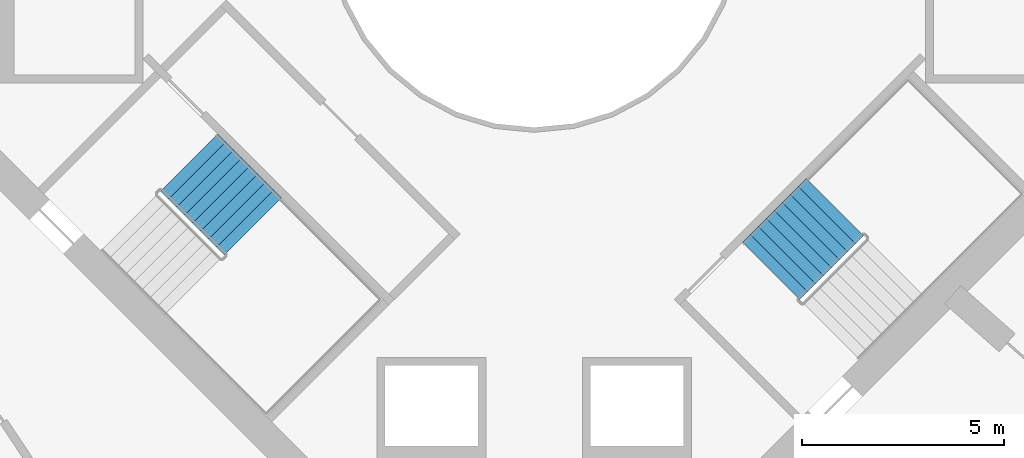
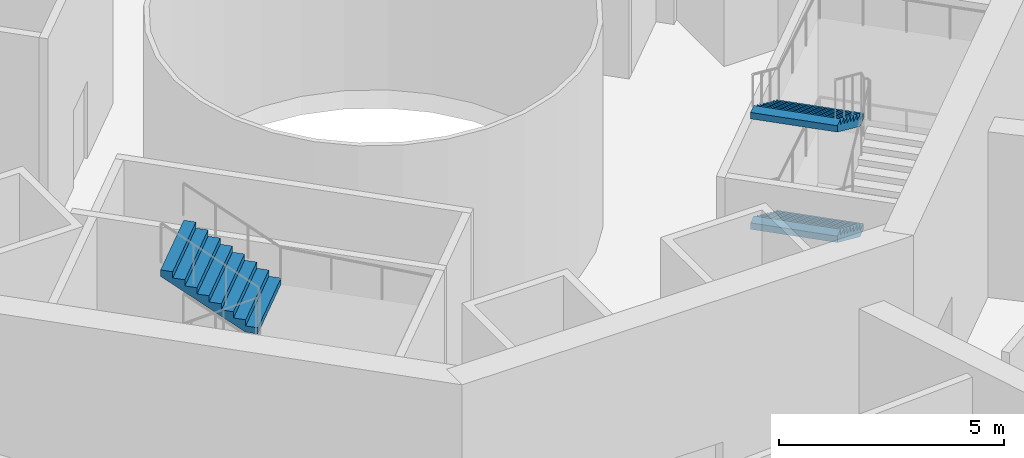
# One storey, part 12 of 16: 3 stair flights, 2 elements without a shape of their own.
"""IFC4 building model written with IfcOpenShell, lengths in metres."""

from ifc_helpers import new_model, si_unit, direction, frame, origin, place, context, subcontext, project, spatial, triangles, material, type_object, element, aggregate, save


model = new_model("IFC4")

# Units and contexts
model_context = context("Model", 3, precision=1e-05, world=origin(), true_north=direction((0.0, 1.0)))
body_context = subcontext(model_context, "Body", "Model", "MODEL_VIEW")
ifc_project = project(units=[si_unit("LENGTHUNIT", "METRE"), si_unit("AREAUNIT", "SQUARE_METRE"), si_unit("VOLUMEUNIT", "CUBIC_METRE"), si_unit("PLANEANGLEUNIT", "RADIAN"), si_unit("MASSUNIT", "GRAM", prefix="KILO")], contexts=[model_context])

# Site, building, storey
site_placement = place(None, origin())
site = spatial("IfcSite", under=ifc_project, at=site_placement, CompositionType="ELEMENT")
building_placement = place(site_placement, origin())
building = spatial("IfcBuilding", under=site, at=building_placement, Name="Verdalira Terraces Hotel", CompositionType="ELEMENT")
storey_placement = place(building_placement, frame((0.0, 0.0, 169.0)))
storey = spatial("IfcBuildingStorey", under=building, at=storey_placement, Name="L41", CompositionType="ELEMENT", Elevation=169.0)

# Stair, stair flight
ifc_material_1 = material(Name="Concrete C40", Category="concrete")
stair_type = type_object("IfcStairType", Name="Core stair 36 risers 2000 mm wide", PredefinedType="HALF_TURN_STAIR", material=ifc_material_1)
stair_1_placement = place(storey_placement, origin())
stair_1 = element("IfcStair", 1, at=stair_1_placement, inside=storey, type_object=stair_type, Name="L41 Exit stair ST2", PredefinedType="HALF_TURN_STAIR")
ifc_material_2 = material(Name="Concrete C40", Category="concrete")
stair_flight_type = type_object("IfcStairFlightType", Name="Core stair flight 36 risers 2000 mm wide", PredefinedType="STRAIGHT", material=ifc_material_2)
stair_flight_1_placement = place(storey_placement, frame((-6.972168, -7.452881, 4.5), z_axis=(0.0, 0.0, 1.0), x_axis=(-0.707106781, 0.707106781, 0.0)))
stair_flight_1 = element("IfcStairFlight", 2, at=stair_flight_1_placement, type_object=stair_flight_type, Name="ST2 flight 4", NumberOfRisers=9, NumberOfTreads=8, PredefinedType="STRAIGHT", RiserHeight=0.166666667, TreadLength=0.28, context=body_context, shape_type="Tessellation", body=[
    triangles([(0.0, 1.0, 0.0), (0.292969, 1.0, 0.0), (2.23999, 1.0, 1.158936), (0.0, -1.0, 0.0), (0.292969, -1.0, 0.0), (2.23999, -1.0, 1.158936), (2.23999, 1.0, 1.333252), (1.959961, 1.0, 1.333252), (2.23999, -1.0, 1.333252), (1.959961, -1.0, 1.333252), (1.959961, 1.0, 1.166748), (1.959961, -1.0, 1.166748), (1.679932, 1.0, 1.166748), (1.679932, -1.0, 1.166748), (1.679932, 1.0, 1.0), (1.679932, -1.0, 1.0), (1.399902, 1.0, 1.0), (1.399902, 1.0, 0.833252), (1.399902, -1.0, 1.0), (1.399902, -1.0, 0.833252), (1.120117, 1.0, 0.833252), (1.120117, 1.0, 0.666748), (1.120117, -1.0, 0.833252), (1.120117, -1.0, 0.666748), (0.840088, 1.0, 0.666748), (0.840088, 1.0, 0.5), (0.840088, -1.0, 0.666748), (0.840088, -1.0, 0.5), (0.560059, 1.0, 0.5), (0.560059, 1.0, 0.333252), (0.560059, -1.0, 0.5), (0.560059, -1.0, 0.333252), (0.280029, 1.0, 0.333252), (0.280029, 1.0, 0.166748), (0.280029, -1.0, 0.333252), (0.280029, -1.0, 0.166748), (0.0, 1.0, 0.166748), (0.0, -1.0, 0.166748), (0.0, -0.9375, 0.0), (0.0, -0.9375, 0.166748), (0.0, -0.875, 0.0), (0.0, -0.875, 0.166748), (0.0, -0.8125, 0.0), (0.0, -0.8125, 0.166748), (0.0, -0.75, 0.0), (0.0, -0.75, 0.166748), (0.0, -0.6875, 0.0), (0.0, -0.6875, 0.166748), (0.0, -0.625, 0.0), (0.0, -0.625, 0.166748), (0.0, -0.5625, 0.0), (0.0, -0.5625, 0.166748), (0.0, -0.5, 0.0), (0.0, -0.5, 0.166748), (0.0, -0.4375, 0.0), (0.0, -0.4375, 0.166748), (0.0, -0.375, 0.0), (0.0, -0.375, 0.166748), (0.0, -0.3125, 0.0), (0.0, -0.3125, 0.166748), (0.0, -0.25, 0.0), (0.0, -0.25, 0.166748), (0.0, -0.1875, 0.0), (0.0, -0.1875, 0.166748), (0.0, -0.125, 0.0), (0.0, -0.125, 0.166748), (0.0, -0.0625, 0.0), (0.0, -0.0625, 0.166748), (0.0, 0.0, 0.0), (0.0, 0.0, 0.166748), (0.0, 0.0625, 0.0), (0.0, 0.0625, 0.166748), (0.0, 0.125, 0.0), (0.0, 0.125, 0.166748), (0.0, 0.1875, 0.0), (0.0, 0.1875, 0.166748), (0.0, 0.25, 0.0), (0.0, 0.25, 0.166748), (0.0, 0.3125, 0.0), (0.0, 0.3125, 0.166748), (0.0, 0.375, 0.0), (0.0, 0.375, 0.166748), (0.0, 0.4375, 0.0), (0.0, 0.4375, 0.166748), (0.0, 0.5, 0.0), (0.0, 0.5, 0.166748), (0.0, 0.5625, 0.0), (0.0, 0.5625, 0.166748), (0.0, 0.625, 0.0), (0.0, 0.625, 0.166748), (0.0, 0.6875, 0.0), (0.0, 0.6875, 0.166748), (0.0, 0.75, 0.0), (0.0, 0.75, 0.166748), (0.0, 0.8125, 0.0), (0.0, 0.8125, 0.166748), (0.0, 0.875, 0.0), (0.0, 0.875, 0.166748), (0.0, 0.9375, 0.0), (0.0, 0.9375, 0.166748), (2.23999, -0.9375, 1.333252), (2.23999, -0.875, 1.333252), (2.23999, -0.8125, 1.333252), (2.23999, -0.75, 1.333252), (2.23999, -0.6875, 1.333252), (2.23999, -0.625, 1.333252), (2.23999, -0.5625, 1.333252), (2.23999, -0.5, 1.333252), (2.23999, -0.4375, 1.333252), (2.23999, -0.375, 1.333252), (2.23999, -0.3125, 1.333252), (2.23999, -0.25, 1.333252), (2.23999, -0.1875, 1.333252), (2.23999, -0.125, 1.333252), (2.23999, -0.0625, 1.333252), (2.23999, 0.0, 1.333252), (2.23999, 0.0625, 1.333252), (2.23999, 0.125, 1.333252), (2.23999, 0.1875, 1.333252), (2.23999, 0.25, 1.333252), (2.23999, 0.3125, 1.333252), (2.23999, 0.375, 1.333252), (2.23999, 0.4375, 1.333252), (2.23999, 0.5, 1.333252), (2.23999, 0.5625, 1.333252), (2.23999, 0.625, 1.333252), (2.23999, 0.6875, 1.333252), (2.23999, 0.75, 1.333252), (2.23999, 0.8125, 1.333252), (2.23999, 0.875, 1.333252), (2.23999, 0.9375, 1.333252), (2.23999, -0.9375, 1.158936), (2.23999, -0.875, 1.158936), (2.23999, -0.8125, 1.158936), (2.23999, -0.75, 1.158936), (2.23999, -0.6875, 1.158936), (2.23999, -0.625, 1.158936), (2.23999, -0.5625, 1.158936), (2.23999, -0.5, 1.158936), (2.23999, -0.4375, 1.158936), (2.23999, -0.375, 1.158936), (2.23999, -0.3125, 1.158936), (2.23999, -0.25, 1.158936), (2.23999, -0.1875, 1.158936), (2.23999, -0.125, 1.158936), (2.23999, -0.0625, 1.158936), (2.23999, 0.0, 1.158936), (2.23999, 0.0625, 1.158936), (2.23999, 0.125, 1.158936), (2.23999, 0.1875, 1.158936), (2.23999, 0.25, 1.158936), (2.23999, 0.3125, 1.158936), (2.23999, 0.375, 1.158936), (2.23999, 0.4375, 1.158936), (2.23999, 0.5, 1.158936), (2.23999, 0.5625, 1.158936), (2.23999, 0.625, 1.158936), (2.23999, 0.6875, 1.158936), (2.23999, 0.75, 1.158936), (2.23999, 0.8125, 1.158936), (2.23999, 0.875, 1.158936), (2.23999, 0.9375, 1.158936)], [[1, 3, 2], [4, 5, 6], [3, 8, 7], [6, 9, 10], [3, 11, 8], [6, 10, 12], [3, 13, 11], [6, 12, 14], [3, 15, 13], [6, 14, 16], [15, 18, 17], [16, 19, 20], [3, 18, 15], [6, 16, 20], [18, 22, 21], [20, 23, 24], [3, 22, 18], [6, 20, 24], [22, 26, 25], [24, 27, 28], [3, 26, 22], [6, 24, 28], [26, 30, 29], [28, 31, 32], [3, 30, 26], [6, 28, 32], [1, 30, 3], [4, 6, 32], [30, 34, 33], [32, 35, 36], [1, 34, 30], [4, 32, 36], [34, 1, 37], [36, 38, 4], [4, 40, 39], [4, 38, 40], [39, 42, 41], [39, 40, 42], [41, 44, 43], [41, 42, 44], [43, 46, 45], [43, 44, 46], [45, 48, 47], [45, 46, 48], [47, 50, 49], [47, 48, 50], [49, 52, 51], [49, 50, 52], [51, 54, 53], [51, 52, 54], [53, 56, 55], [53, 54, 56], [55, 58, 57], [55, 56, 58], [57, 60, 59], [57, 58, 60], [59, 62, 61], [59, 60, 62], [61, 64, 63], [61, 62, 64], [63, 66, 65], [63, 64, 66], [65, 68, 67], [65, 66, 68], [67, 70, 69], [67, 68, 70], [69, 72, 71], [69, 70, 72], [71, 74, 73], [71, 72, 74], [73, 76, 75], [73, 74, 76], [75, 78, 77], [75, 76, 78], [77, 80, 79], [77, 78, 80], [79, 82, 81], [79, 80, 82], [81, 84, 83], [81, 82, 84], [83, 86, 85], [83, 84, 86], [85, 88, 87], [85, 86, 88], [87, 90, 89], [87, 88, 90], [89, 92, 91], [89, 90, 92], [91, 94, 93], [91, 92, 94], [93, 96, 95], [93, 94, 96], [95, 98, 97], [95, 96, 98], [97, 100, 99], [97, 98, 100], [99, 37, 1], [99, 100, 37], [38, 36, 40], [40, 36, 42], [42, 36, 44], [44, 36, 46], [46, 36, 48], [48, 36, 50], [50, 36, 52], [52, 36, 54], [54, 36, 56], [56, 36, 58], [58, 36, 60], [60, 36, 62], [62, 36, 64], [64, 36, 66], [66, 36, 68], [68, 36, 70], [70, 36, 72], [72, 36, 74], [74, 36, 76], [76, 36, 78], [78, 36, 80], [80, 36, 82], [82, 36, 84], [84, 36, 86], [86, 36, 88], [88, 36, 90], [90, 36, 92], [92, 36, 94], [94, 36, 96], [96, 36, 98], [98, 36, 100], [100, 36, 37], [37, 36, 34], [36, 33, 34], [36, 35, 33], [35, 30, 33], [35, 32, 30], [32, 29, 30], [32, 31, 29], [31, 26, 29], [31, 28, 26], [28, 25, 26], [28, 27, 25], [27, 22, 25], [27, 24, 22], [24, 21, 22], [24, 23, 21], [23, 18, 21], [23, 20, 18], [20, 17, 18], [20, 19, 17], [19, 15, 17], [19, 16, 15], [16, 13, 15], [16, 14, 13], [14, 11, 13], [14, 12, 11], [12, 8, 11], [12, 10, 8], [9, 101, 10], [101, 102, 10], [102, 103, 10], [103, 104, 10], [104, 105, 10], [105, 106, 10], [106, 107, 10], [107, 108, 10], [108, 109, 10], [109, 110, 10], [110, 111, 10], [111, 112, 10], [112, 113, 10], [113, 114, 10], [114, 115, 10], [115, 116, 10], [116, 117, 10], [117, 118, 10], [118, 119, 10], [119, 120, 10], [120, 121, 10], [121, 122, 10], [122, 123, 10], [123, 124, 10], [124, 125, 10], [125, 126, 10], [126, 127, 10], [127, 128, 10], [128, 129, 10], [129, 130, 10], [130, 131, 10], [131, 7, 10], [7, 8, 10], [9, 132, 101], [9, 6, 132], [101, 133, 102], [101, 132, 133], [102, 134, 103], [102, 133, 134], [103, 135, 104], [103, 134, 135], [104, 136, 105], [104, 135, 136], [105, 137, 106], [105, 136, 137], [106, 138, 107], [106, 137, 138], [107, 139, 108], [107, 138, 139], [108, 140, 109], [108, 139, 140], [109, 141, 110], [109, 140, 141], [110, 142, 111], [110, 141, 142], [111, 143, 112], [111, 142, 143], [112, 144, 113], [112, 143, 144], [113, 145, 114], [113, 144, 145], [114, 146, 115], [114, 145, 146], [115, 147, 116], [115, 146, 147], [116, 148, 117], [116, 147, 148], [117, 149, 118], [117, 148, 149], [118, 150, 119], [118, 149, 150], [119, 151, 120], [119, 150, 151], [120, 152, 121], [120, 151, 152], [121, 153, 122], [121, 152, 153], [122, 154, 123], [122, 153, 154], [123, 155, 124], [123, 154, 155], [124, 156, 125], [124, 155, 156], [125, 157, 126], [125, 156, 157], [126, 158, 127], [126, 157, 158], [127, 159, 128], [127, 158, 159], [128, 160, 129], [128, 159, 160], [129, 161, 130], [129, 160, 161], [130, 162, 131], [130, 161, 162], [131, 3, 7], [131, 162, 3], [6, 5, 132], [132, 5, 133], [133, 5, 134], [134, 5, 135], [135, 5, 136], [136, 5, 137], [137, 5, 138], [138, 5, 139], [139, 5, 140], [140, 5, 141], [141, 5, 142], [142, 5, 143], [143, 5, 144], [144, 5, 145], [145, 5, 146], [146, 5, 147], [147, 5, 148], [148, 5, 149], [149, 5, 150], [150, 5, 151], [151, 5, 152], [152, 5, 153], [153, 5, 154], [154, 5, 155], [155, 5, 156], [156, 5, 157], [157, 5, 158], [158, 5, 159], [159, 5, 160], [160, 5, 161], [161, 5, 162], [162, 5, 3], [3, 5, 2], [4, 39, 5], [39, 41, 5], [41, 43, 5], [43, 45, 5], [45, 47, 5], [47, 49, 5], [49, 51, 5], [51, 53, 5], [53, 55, 5], [55, 57, 5], [57, 59, 5], [59, 61, 5], [61, 63, 5], [63, 65, 5], [65, 67, 5], [67, 69, 5], [69, 71, 5], [71, 73, 5], [73, 75, 5], [75, 77, 5], [77, 79, 5], [79, 81, 5], [81, 83, 5], [83, 85, 5], [85, 87, 5], [87, 89, 5], [89, 91, 5], [91, 93, 5], [93, 95, 5], [95, 97, 5], [97, 99, 5], [99, 1, 5], [1, 2, 5]], closed=True),
])
aggregate(stair_1, [stair_flight_1])

# Stair, stair flights
stair_2_placement = place(storey_placement, origin())
stair_2 = element("IfcStair", 3, at=stair_2_placement, inside=storey, type_object=stair_type, Name="L41 Exit stair ST3", PredefinedType="HALF_TURN_STAIR")
stair_flight_2_placement = place(storey_placement, frame((7.452881, -6.972168, 1.5), z_axis=(0.0, 0.0, 1.0), x_axis=(-0.707106781, -0.707106781, 0.0)))
stair_flight_2 = element("IfcStairFlight", 4, at=stair_flight_2_placement, type_object=stair_flight_type, Name="ST3 flight 2", NumberOfRisers=9, NumberOfTreads=8, PredefinedType="STRAIGHT", RiserHeight=0.166666667, TreadLength=0.28, context=body_context, shape_type="Tessellation", body=[
    triangles([(0.0, 1.0, 0.0), (0.292969, 1.0, 0.0), (2.23999, 1.0, 1.158936), (0.0, -1.0, 0.0), (0.292969, -1.0, 0.0), (2.23999, -1.0, 1.158936), (2.23999, 1.0, 1.333252), (1.959961, 1.0, 1.333252), (2.23999, -1.0, 1.333252), (1.959961, -1.0, 1.333252), (1.959961, 1.0, 1.166748), (1.959961, -1.0, 1.166748), (1.679932, 1.0, 1.166748), (1.679932, -1.0, 1.166748), (1.679932, 1.0, 1.0), (1.679932, -1.0, 1.0), (1.399902, 1.0, 1.0), (1.399902, 1.0, 0.833252), (1.399902, -1.0, 1.0), (1.399902, -1.0, 0.833252), (1.120117, 1.0, 0.833252), (1.120117, 1.0, 0.666748), (1.120117, -1.0, 0.833252), (1.120117, -1.0, 0.666748), (0.840088, 1.0, 0.666748), (0.840088, 1.0, 0.5), (0.840088, -1.0, 0.666748), (0.840088, -1.0, 0.5), (0.560059, 1.0, 0.5), (0.560059, 1.0, 0.333252), (0.560059, -1.0, 0.5), (0.560059, -1.0, 0.333252), (0.280029, 1.0, 0.333252), (0.280029, 1.0, 0.166748), (0.280029, -1.0, 0.333252), (0.280029, -1.0, 0.166748), (0.0, 1.0, 0.166748), (0.0, -1.0, 0.166748), (0.0, -0.9375, 0.0), (0.0, -0.9375, 0.166748), (0.0, -0.875, 0.0), (0.0, -0.875, 0.166748), (0.0, -0.8125, 0.0), (0.0, -0.8125, 0.166748), (0.0, -0.75, 0.0), (0.0, -0.75, 0.166748), (0.0, -0.6875, 0.0), (0.0, -0.6875, 0.166748), (0.0, -0.625, 0.0), (0.0, -0.625, 0.166748), (0.0, -0.5625, 0.0), (0.0, -0.5625, 0.166748), (0.0, -0.5, 0.0), (0.0, -0.5, 0.166748), (0.0, -0.4375, 0.0), (0.0, -0.4375, 0.166748), (0.0, -0.375, 0.0), (0.0, -0.375, 0.166748), (0.0, -0.3125, 0.0), (0.0, -0.3125, 0.166748), (0.0, -0.25, 0.0), (0.0, -0.25, 0.166748), (0.0, -0.1875, 0.0), (0.0, -0.1875, 0.166748), (0.0, -0.125, 0.0), (0.0, -0.125, 0.166748), (0.0, -0.0625, 0.0), (0.0, -0.0625, 0.166748), (0.0, 0.0, 0.0), (0.0, 0.0, 0.166748), (0.0, 0.0625, 0.0), (0.0, 0.0625, 0.166748), (0.0, 0.125, 0.0), (0.0, 0.125, 0.166748), (0.0, 0.1875, 0.0), (0.0, 0.1875, 0.166748), (0.0, 0.25, 0.0), (0.0, 0.25, 0.166748), (0.0, 0.3125, 0.0), (0.0, 0.3125, 0.166748), (0.0, 0.375, 0.0), (0.0, 0.375, 0.166748), (0.0, 0.4375, 0.0), (0.0, 0.4375, 0.166748), (0.0, 0.5, 0.0), (0.0, 0.5, 0.166748), (0.0, 0.5625, 0.0), (0.0, 0.5625, 0.166748), (0.0, 0.625, 0.0), (0.0, 0.625, 0.166748), (0.0, 0.6875, 0.0), (0.0, 0.6875, 0.166748), (0.0, 0.75, 0.0), (0.0, 0.75, 0.166748), (0.0, 0.8125, 0.0), (0.0, 0.8125, 0.166748), (0.0, 0.875, 0.0), (0.0, 0.875, 0.166748), (0.0, 0.9375, 0.0), (0.0, 0.9375, 0.166748), (2.23999, -0.9375, 1.333252), (2.23999, -0.875, 1.333252), (2.23999, -0.8125, 1.333252), (2.23999, -0.75, 1.333252), (2.23999, -0.6875, 1.333252), (2.23999, -0.625, 1.333252), (2.23999, -0.5625, 1.333252), (2.23999, -0.5, 1.333252), (2.23999, -0.4375, 1.333252), (2.23999, -0.375, 1.333252), (2.23999, -0.3125, 1.333252), (2.23999, -0.25, 1.333252), (2.23999, -0.1875, 1.333252), (2.23999, -0.125, 1.333252), (2.23999, -0.0625, 1.333252), (2.23999, 0.0, 1.333252), (2.23999, 0.0625, 1.333252), (2.23999, 0.125, 1.333252), (2.23999, 0.1875, 1.333252), (2.23999, 0.25, 1.333252), (2.23999, 0.3125, 1.333252), (2.23999, 0.375, 1.333252), (2.23999, 0.4375, 1.333252), (2.23999, 0.5, 1.333252), (2.23999, 0.5625, 1.333252), (2.23999, 0.625, 1.333252), (2.23999, 0.6875, 1.333252), (2.23999, 0.75, 1.333252), (2.23999, 0.8125, 1.333252), (2.23999, 0.875, 1.333252), (2.23999, 0.9375, 1.333252), (2.23999, -0.9375, 1.158936), (2.23999, -0.875, 1.158936), (2.23999, -0.8125, 1.158936), (2.23999, -0.75, 1.158936), (2.23999, -0.6875, 1.158936), (2.23999, -0.625, 1.158936), (2.23999, -0.5625, 1.158936), (2.23999, -0.5, 1.158936), (2.23999, -0.4375, 1.158936), (2.23999, -0.375, 1.158936), (2.23999, -0.3125, 1.158936), (2.23999, -0.25, 1.158936), (2.23999, -0.1875, 1.158936), (2.23999, -0.125, 1.158936), (2.23999, -0.0625, 1.158936), (2.23999, 0.0, 1.158936), (2.23999, 0.0625, 1.158936), (2.23999, 0.125, 1.158936), (2.23999, 0.1875, 1.158936), (2.23999, 0.25, 1.158936), (2.23999, 0.3125, 1.158936), (2.23999, 0.375, 1.158936), (2.23999, 0.4375, 1.158936), (2.23999, 0.5, 1.158936), (2.23999, 0.5625, 1.158936), (2.23999, 0.625, 1.158936), (2.23999, 0.6875, 1.158936), (2.23999, 0.75, 1.158936), (2.23999, 0.8125, 1.158936), (2.23999, 0.875, 1.158936), (2.23999, 0.9375, 1.158936)], [[1, 3, 2], [4, 5, 6], [3, 8, 7], [6, 9, 10], [3, 11, 8], [6, 10, 12], [3, 13, 11], [6, 12, 14], [3, 15, 13], [6, 14, 16], [15, 18, 17], [16, 19, 20], [3, 18, 15], [6, 16, 20], [18, 22, 21], [20, 23, 24], [3, 22, 18], [6, 20, 24], [22, 26, 25], [24, 27, 28], [3, 26, 22], [6, 24, 28], [26, 30, 29], [28, 31, 32], [3, 30, 26], [6, 28, 32], [1, 30, 3], [4, 6, 32], [30, 34, 33], [32, 35, 36], [1, 34, 30], [4, 32, 36], [34, 1, 37], [36, 38, 4], [4, 40, 39], [4, 38, 40], [39, 42, 41], [39, 40, 42], [41, 44, 43], [41, 42, 44], [43, 46, 45], [43, 44, 46], [45, 48, 47], [45, 46, 48], [47, 50, 49], [47, 48, 50], [49, 52, 51], [49, 50, 52], [51, 54, 53], [51, 52, 54], [53, 56, 55], [53, 54, 56], [55, 58, 57], [55, 56, 58], [57, 60, 59], [57, 58, 60], [59, 62, 61], [59, 60, 62], [61, 64, 63], [61, 62, 64], [63, 66, 65], [63, 64, 66], [65, 68, 67], [65, 66, 68], [67, 70, 69], [67, 68, 70], [69, 72, 71], [69, 70, 72], [71, 74, 73], [71, 72, 74], [73, 76, 75], [73, 74, 76], [75, 78, 77], [75, 76, 78], [77, 80, 79], [77, 78, 80], [79, 82, 81], [79, 80, 82], [81, 84, 83], [81, 82, 84], [83, 86, 85], [83, 84, 86], [85, 88, 87], [85, 86, 88], [87, 90, 89], [87, 88, 90], [89, 92, 91], [89, 90, 92], [91, 94, 93], [91, 92, 94], [93, 96, 95], [93, 94, 96], [95, 98, 97], [95, 96, 98], [97, 100, 99], [97, 98, 100], [99, 37, 1], [99, 100, 37], [38, 36, 40], [40, 36, 42], [42, 36, 44], [44, 36, 46], [46, 36, 48], [48, 36, 50], [50, 36, 52], [52, 36, 54], [54, 36, 56], [56, 36, 58], [58, 36, 60], [60, 36, 62], [62, 36, 64], [64, 36, 66], [66, 36, 68], [68, 36, 70], [70, 36, 72], [72, 36, 74], [74, 36, 76], [76, 36, 78], [78, 36, 80], [80, 36, 82], [82, 36, 84], [84, 36, 86], [86, 36, 88], [88, 36, 90], [90, 36, 92], [92, 36, 94], [94, 36, 96], [96, 36, 98], [98, 36, 100], [100, 36, 37], [37, 36, 34], [36, 33, 34], [36, 35, 33], [35, 30, 33], [35, 32, 30], [32, 29, 30], [32, 31, 29], [31, 26, 29], [31, 28, 26], [28, 25, 26], [28, 27, 25], [27, 22, 25], [27, 24, 22], [24, 21, 22], [24, 23, 21], [23, 18, 21], [23, 20, 18], [20, 17, 18], [20, 19, 17], [19, 15, 17], [19, 16, 15], [16, 13, 15], [16, 14, 13], [14, 11, 13], [14, 12, 11], [12, 8, 11], [12, 10, 8], [9, 101, 10], [101, 102, 10], [102, 103, 10], [103, 104, 10], [104, 105, 10], [105, 106, 10], [106, 107, 10], [107, 108, 10], [108, 109, 10], [109, 110, 10], [110, 111, 10], [111, 112, 10], [112, 113, 10], [113, 114, 10], [114, 115, 10], [115, 116, 10], [116, 117, 10], [117, 118, 10], [118, 119, 10], [119, 120, 10], [120, 121, 10], [121, 122, 10], [122, 123, 10], [123, 124, 10], [124, 125, 10], [125, 126, 10], [126, 127, 10], [127, 128, 10], [128, 129, 10], [129, 130, 10], [130, 131, 10], [131, 7, 10], [7, 8, 10], [9, 132, 101], [9, 6, 132], [101, 133, 102], [101, 132, 133], [102, 134, 103], [102, 133, 134], [103, 135, 104], [103, 134, 135], [104, 136, 105], [104, 135, 136], [105, 137, 106], [105, 136, 137], [106, 138, 107], [106, 137, 138], [107, 139, 108], [107, 138, 139], [108, 140, 109], [108, 139, 140], [109, 141, 110], [109, 140, 141], [110, 142, 111], [110, 141, 142], [111, 143, 112], [111, 142, 143], [112, 144, 113], [112, 143, 144], [113, 145, 114], [113, 144, 145], [114, 146, 115], [114, 145, 146], [115, 147, 116], [115, 146, 147], [116, 148, 117], [116, 147, 148], [117, 149, 118], [117, 148, 149], [118, 150, 119], [118, 149, 150], [119, 151, 120], [119, 150, 151], [120, 152, 121], [120, 151, 152], [121, 153, 122], [121, 152, 153], [122, 154, 123], [122, 153, 154], [123, 155, 124], [123, 154, 155], [124, 156, 125], [124, 155, 156], [125, 157, 126], [125, 156, 157], [126, 158, 127], [126, 157, 158], [127, 159, 128], [127, 158, 159], [128, 160, 129], [128, 159, 160], [129, 161, 130], [129, 160, 161], [130, 162, 131], [130, 161, 162], [131, 3, 7], [131, 162, 3], [6, 5, 132], [132, 5, 133], [133, 5, 134], [134, 5, 135], [135, 5, 136], [136, 5, 137], [137, 5, 138], [138, 5, 139], [139, 5, 140], [140, 5, 141], [141, 5, 142], [142, 5, 143], [143, 5, 144], [144, 5, 145], [145, 5, 146], [146, 5, 147], [147, 5, 148], [148, 5, 149], [149, 5, 150], [150, 5, 151], [151, 5, 152], [152, 5, 153], [153, 5, 154], [154, 5, 155], [155, 5, 156], [156, 5, 157], [157, 5, 158], [158, 5, 159], [159, 5, 160], [160, 5, 161], [161, 5, 162], [162, 5, 3], [3, 5, 2], [4, 39, 5], [39, 41, 5], [41, 43, 5], [43, 45, 5], [45, 47, 5], [47, 49, 5], [49, 51, 5], [51, 53, 5], [53, 55, 5], [55, 57, 5], [57, 59, 5], [59, 61, 5], [61, 63, 5], [63, 65, 5], [65, 67, 5], [67, 69, 5], [69, 71, 5], [71, 73, 5], [73, 75, 5], [75, 77, 5], [77, 79, 5], [79, 81, 5], [81, 83, 5], [83, 85, 5], [85, 87, 5], [87, 89, 5], [89, 91, 5], [91, 93, 5], [93, 95, 5], [95, 97, 5], [97, 99, 5], [99, 1, 5], [1, 2, 5]], closed=True),
])
stair_flight_3_placement = place(storey_placement, frame((7.452881, -6.972168, 4.5), z_axis=(0.0, 0.0, 1.0), x_axis=(-0.707106781, -0.707106781, 0.0)))
stair_flight_3 = element("IfcStairFlight", 5, at=stair_flight_3_placement, type_object=stair_flight_type, Name="ST3 flight 4", NumberOfRisers=9, NumberOfTreads=8, PredefinedType="STRAIGHT", RiserHeight=0.166666667, TreadLength=0.28, context=body_context, shape_type="Tessellation", body=[
    triangles([(0.0, 1.0, 0.0), (0.292969, 1.0, 0.0), (2.23999, 1.0, 1.158936), (0.0, -1.0, 0.0), (0.292969, -1.0, 0.0), (2.23999, -1.0, 1.158936), (2.23999, 1.0, 1.333252), (1.959961, 1.0, 1.333252), (2.23999, -1.0, 1.333252), (1.959961, -1.0, 1.333252), (1.959961, 1.0, 1.166748), (1.959961, -1.0, 1.166748), (1.679932, 1.0, 1.166748), (1.679932, -1.0, 1.166748), (1.679932, 1.0, 1.0), (1.679932, -1.0, 1.0), (1.399902, 1.0, 1.0), (1.399902, 1.0, 0.833252), (1.399902, -1.0, 1.0), (1.399902, -1.0, 0.833252), (1.120117, 1.0, 0.833252), (1.120117, 1.0, 0.666748), (1.120117, -1.0, 0.833252), (1.120117, -1.0, 0.666748), (0.840088, 1.0, 0.666748), (0.840088, 1.0, 0.5), (0.840088, -1.0, 0.666748), (0.840088, -1.0, 0.5), (0.560059, 1.0, 0.5), (0.560059, 1.0, 0.333252), (0.560059, -1.0, 0.5), (0.560059, -1.0, 0.333252), (0.280029, 1.0, 0.333252), (0.280029, 1.0, 0.166748), (0.280029, -1.0, 0.333252), (0.280029, -1.0, 0.166748), (0.0, 1.0, 0.166748), (0.0, -1.0, 0.166748), (0.0, -0.9375, 0.0), (0.0, -0.9375, 0.166748), (0.0, -0.875, 0.0), (0.0, -0.875, 0.166748), (0.0, -0.8125, 0.0), (0.0, -0.8125, 0.166748), (0.0, -0.75, 0.0), (0.0, -0.75, 0.166748), (0.0, -0.6875, 0.0), (0.0, -0.6875, 0.166748), (0.0, -0.625, 0.0), (0.0, -0.625, 0.166748), (0.0, -0.5625, 0.0), (0.0, -0.5625, 0.166748), (0.0, -0.5, 0.0), (0.0, -0.5, 0.166748), (0.0, -0.4375, 0.0), (0.0, -0.4375, 0.166748), (0.0, -0.375, 0.0), (0.0, -0.375, 0.166748), (0.0, -0.3125, 0.0), (0.0, -0.3125, 0.166748), (0.0, -0.25, 0.0), (0.0, -0.25, 0.166748), (0.0, -0.1875, 0.0), (0.0, -0.1875, 0.166748), (0.0, -0.125, 0.0), (0.0, -0.125, 0.166748), (0.0, -0.0625, 0.0), (0.0, -0.0625, 0.166748), (0.0, 0.0, 0.0), (0.0, 0.0, 0.166748), (0.0, 0.0625, 0.0), (0.0, 0.0625, 0.166748), (0.0, 0.125, 0.0), (0.0, 0.125, 0.166748), (0.0, 0.1875, 0.0), (0.0, 0.1875, 0.166748), (0.0, 0.25, 0.0), (0.0, 0.25, 0.166748), (0.0, 0.3125, 0.0), (0.0, 0.3125, 0.166748), (0.0, 0.375, 0.0), (0.0, 0.375, 0.166748), (0.0, 0.4375, 0.0), (0.0, 0.4375, 0.166748), (0.0, 0.5, 0.0), (0.0, 0.5, 0.166748), (0.0, 0.5625, 0.0), (0.0, 0.5625, 0.166748), (0.0, 0.625, 0.0), (0.0, 0.625, 0.166748), (0.0, 0.6875, 0.0), (0.0, 0.6875, 0.166748), (0.0, 0.75, 0.0), (0.0, 0.75, 0.166748), (0.0, 0.8125, 0.0), (0.0, 0.8125, 0.166748), (0.0, 0.875, 0.0), (0.0, 0.875, 0.166748), (0.0, 0.9375, 0.0), (0.0, 0.9375, 0.166748), (2.23999, -0.9375, 1.333252), (2.23999, -0.875, 1.333252), (2.23999, -0.8125, 1.333252), (2.23999, -0.75, 1.333252), (2.23999, -0.6875, 1.333252), (2.23999, -0.625, 1.333252), (2.23999, -0.5625, 1.333252), (2.23999, -0.5, 1.333252), (2.23999, -0.4375, 1.333252), (2.23999, -0.375, 1.333252), (2.23999, -0.3125, 1.333252), (2.23999, -0.25, 1.333252), (2.23999, -0.1875, 1.333252), (2.23999, -0.125, 1.333252), (2.23999, -0.0625, 1.333252), (2.23999, 0.0, 1.333252), (2.23999, 0.0625, 1.333252), (2.23999, 0.125, 1.333252), (2.23999, 0.1875, 1.333252), (2.23999, 0.25, 1.333252), (2.23999, 0.3125, 1.333252), (2.23999, 0.375, 1.333252), (2.23999, 0.4375, 1.333252), (2.23999, 0.5, 1.333252), (2.23999, 0.5625, 1.333252), (2.23999, 0.625, 1.333252), (2.23999, 0.6875, 1.333252), (2.23999, 0.75, 1.333252), (2.23999, 0.8125, 1.333252), (2.23999, 0.875, 1.333252), (2.23999, 0.9375, 1.333252), (2.23999, -0.9375, 1.158936), (2.23999, -0.875, 1.158936), (2.23999, -0.8125, 1.158936), (2.23999, -0.75, 1.158936), (2.23999, -0.6875, 1.158936), (2.23999, -0.625, 1.158936), (2.23999, -0.5625, 1.158936), (2.23999, -0.5, 1.158936), (2.23999, -0.4375, 1.158936), (2.23999, -0.375, 1.158936), (2.23999, -0.3125, 1.158936), (2.23999, -0.25, 1.158936), (2.23999, -0.1875, 1.158936), (2.23999, -0.125, 1.158936), (2.23999, -0.0625, 1.158936), (2.23999, 0.0, 1.158936), (2.23999, 0.0625, 1.158936), (2.23999, 0.125, 1.158936), (2.23999, 0.1875, 1.158936), (2.23999, 0.25, 1.158936), (2.23999, 0.3125, 1.158936), (2.23999, 0.375, 1.158936), (2.23999, 0.4375, 1.158936), (2.23999, 0.5, 1.158936), (2.23999, 0.5625, 1.158936), (2.23999, 0.625, 1.158936), (2.23999, 0.6875, 1.158936), (2.23999, 0.75, 1.158936), (2.23999, 0.8125, 1.158936), (2.23999, 0.875, 1.158936), (2.23999, 0.9375, 1.158936)], [[1, 3, 2], [4, 5, 6], [3, 8, 7], [6, 9, 10], [3, 11, 8], [6, 10, 12], [3, 13, 11], [6, 12, 14], [3, 15, 13], [6, 14, 16], [15, 18, 17], [16, 19, 20], [3, 18, 15], [6, 16, 20], [18, 22, 21], [20, 23, 24], [3, 22, 18], [6, 20, 24], [22, 26, 25], [24, 27, 28], [3, 26, 22], [6, 24, 28], [26, 30, 29], [28, 31, 32], [3, 30, 26], [6, 28, 32], [1, 30, 3], [4, 6, 32], [30, 34, 33], [32, 35, 36], [1, 34, 30], [4, 32, 36], [34, 1, 37], [36, 38, 4], [4, 40, 39], [4, 38, 40], [39, 42, 41], [39, 40, 42], [41, 44, 43], [41, 42, 44], [43, 46, 45], [43, 44, 46], [45, 48, 47], [45, 46, 48], [47, 50, 49], [47, 48, 50], [49, 52, 51], [49, 50, 52], [51, 54, 53], [51, 52, 54], [53, 56, 55], [53, 54, 56], [55, 58, 57], [55, 56, 58], [57, 60, 59], [57, 58, 60], [59, 62, 61], [59, 60, 62], [61, 64, 63], [61, 62, 64], [63, 66, 65], [63, 64, 66], [65, 68, 67], [65, 66, 68], [67, 70, 69], [67, 68, 70], [69, 72, 71], [69, 70, 72], [71, 74, 73], [71, 72, 74], [73, 76, 75], [73, 74, 76], [75, 78, 77], [75, 76, 78], [77, 80, 79], [77, 78, 80], [79, 82, 81], [79, 80, 82], [81, 84, 83], [81, 82, 84], [83, 86, 85], [83, 84, 86], [85, 88, 87], [85, 86, 88], [87, 90, 89], [87, 88, 90], [89, 92, 91], [89, 90, 92], [91, 94, 93], [91, 92, 94], [93, 96, 95], [93, 94, 96], [95, 98, 97], [95, 96, 98], [97, 100, 99], [97, 98, 100], [99, 37, 1], [99, 100, 37], [38, 36, 40], [40, 36, 42], [42, 36, 44], [44, 36, 46], [46, 36, 48], [48, 36, 50], [50, 36, 52], [52, 36, 54], [54, 36, 56], [56, 36, 58], [58, 36, 60], [60, 36, 62], [62, 36, 64], [64, 36, 66], [66, 36, 68], [68, 36, 70], [70, 36, 72], [72, 36, 74], [74, 36, 76], [76, 36, 78], [78, 36, 80], [80, 36, 82], [82, 36, 84], [84, 36, 86], [86, 36, 88], [88, 36, 90], [90, 36, 92], [92, 36, 94], [94, 36, 96], [96, 36, 98], [98, 36, 100], [100, 36, 37], [37, 36, 34], [36, 33, 34], [36, 35, 33], [35, 30, 33], [35, 32, 30], [32, 29, 30], [32, 31, 29], [31, 26, 29], [31, 28, 26], [28, 25, 26], [28, 27, 25], [27, 22, 25], [27, 24, 22], [24, 21, 22], [24, 23, 21], [23, 18, 21], [23, 20, 18], [20, 17, 18], [20, 19, 17], [19, 15, 17], [19, 16, 15], [16, 13, 15], [16, 14, 13], [14, 11, 13], [14, 12, 11], [12, 8, 11], [12, 10, 8], [9, 101, 10], [101, 102, 10], [102, 103, 10], [103, 104, 10], [104, 105, 10], [105, 106, 10], [106, 107, 10], [107, 108, 10], [108, 109, 10], [109, 110, 10], [110, 111, 10], [111, 112, 10], [112, 113, 10], [113, 114, 10], [114, 115, 10], [115, 116, 10], [116, 117, 10], [117, 118, 10], [118, 119, 10], [119, 120, 10], [120, 121, 10], [121, 122, 10], [122, 123, 10], [123, 124, 10], [124, 125, 10], [125, 126, 10], [126, 127, 10], [127, 128, 10], [128, 129, 10], [129, 130, 10], [130, 131, 10], [131, 7, 10], [7, 8, 10], [9, 132, 101], [9, 6, 132], [101, 133, 102], [101, 132, 133], [102, 134, 103], [102, 133, 134], [103, 135, 104], [103, 134, 135], [104, 136, 105], [104, 135, 136], [105, 137, 106], [105, 136, 137], [106, 138, 107], [106, 137, 138], [107, 139, 108], [107, 138, 139], [108, 140, 109], [108, 139, 140], [109, 141, 110], [109, 140, 141], [110, 142, 111], [110, 141, 142], [111, 143, 112], [111, 142, 143], [112, 144, 113], [112, 143, 144], [113, 145, 114], [113, 144, 145], [114, 146, 115], [114, 145, 146], [115, 147, 116], [115, 146, 147], [116, 148, 117], [116, 147, 148], [117, 149, 118], [117, 148, 149], [118, 150, 119], [118, 149, 150], [119, 151, 120], [119, 150, 151], [120, 152, 121], [120, 151, 152], [121, 153, 122], [121, 152, 153], [122, 154, 123], [122, 153, 154], [123, 155, 124], [123, 154, 155], [124, 156, 125], [124, 155, 156], [125, 157, 126], [125, 156, 157], [126, 158, 127], [126, 157, 158], [127, 159, 128], [127, 158, 159], [128, 160, 129], [128, 159, 160], [129, 161, 130], [129, 160, 161], [130, 162, 131], [130, 161, 162], [131, 3, 7], [131, 162, 3], [6, 5, 132], [132, 5, 133], [133, 5, 134], [134, 5, 135], [135, 5, 136], [136, 5, 137], [137, 5, 138], [138, 5, 139], [139, 5, 140], [140, 5, 141], [141, 5, 142], [142, 5, 143], [143, 5, 144], [144, 5, 145], [145, 5, 146], [146, 5, 147], [147, 5, 148], [148, 5, 149], [149, 5, 150], [150, 5, 151], [151, 5, 152], [152, 5, 153], [153, 5, 154], [154, 5, 155], [155, 5, 156], [156, 5, 157], [157, 5, 158], [158, 5, 159], [159, 5, 160], [160, 5, 161], [161, 5, 162], [162, 5, 3], [3, 5, 2], [4, 39, 5], [39, 41, 5], [41, 43, 5], [43, 45, 5], [45, 47, 5], [47, 49, 5], [49, 51, 5], [51, 53, 5], [53, 55, 5], [55, 57, 5], [57, 59, 5], [59, 61, 5], [61, 63, 5], [63, 65, 5], [65, 67, 5], [67, 69, 5], [69, 71, 5], [71, 73, 5], [73, 75, 5], [75, 77, 5], [77, 79, 5], [79, 81, 5], [81, 83, 5], [83, 85, 5], [85, 87, 5], [87, 89, 5], [89, 91, 5], [91, 93, 5], [93, 95, 5], [95, 97, 5], [97, 99, 5], [99, 1, 5], [1, 2, 5]], closed=True),
])
aggregate(stair_2, [stair_flight_2, stair_flight_3])

save(model, "model.ifc")
